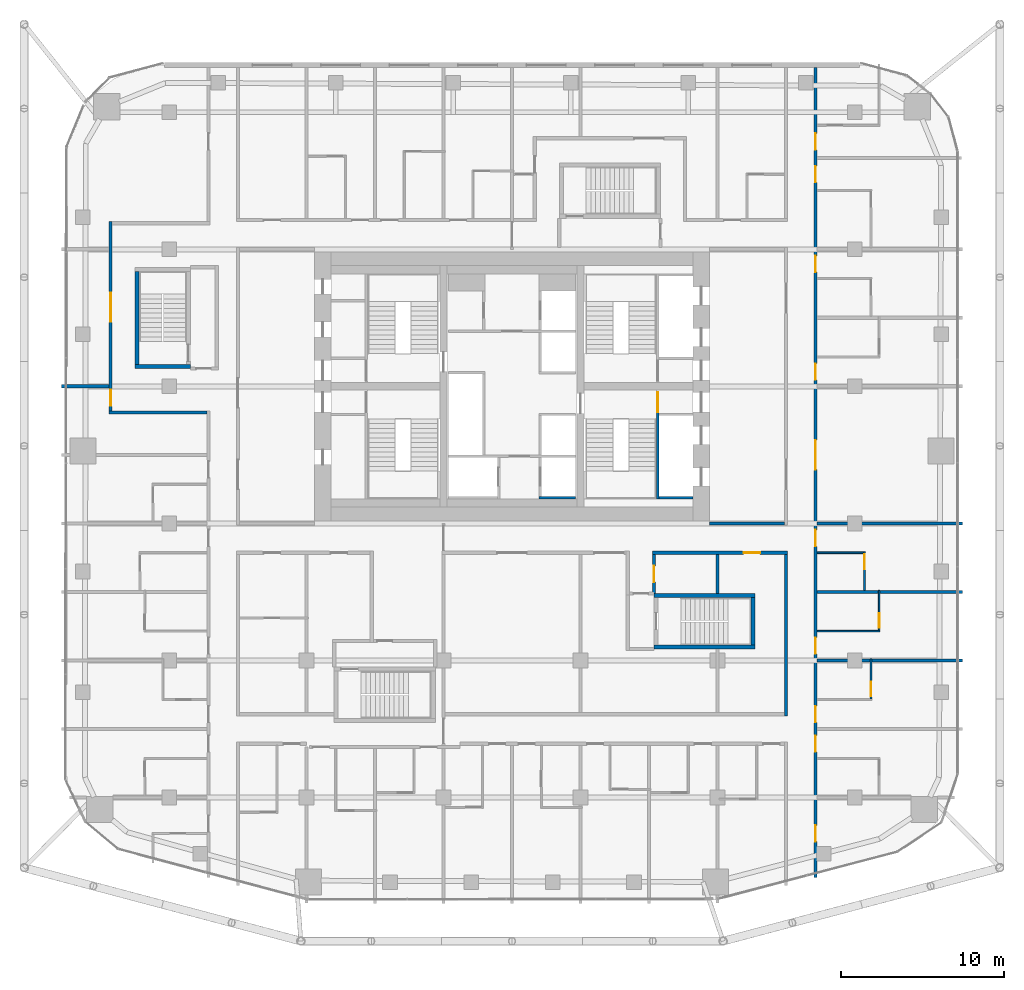
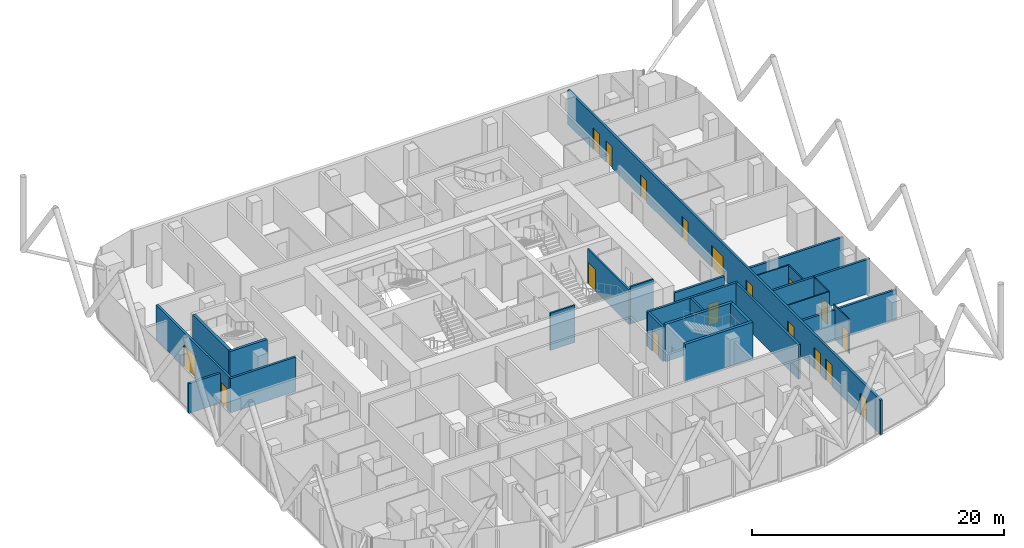
# One storey, part 27 of 33: 25 walls, 18 doors, 18 openings.
"""IFC4 building model written with IfcOpenShell, lengths in metres."""

from ifc_helpers import new_model, si_unit, direction, frame, frame_2d, origin, place, context, subcontext, project, spatial, rectangle, extrude, material, layer, layer_set, type_object, element, fill, save


model = new_model("IFC4")

# Units and contexts
model_context = context("Model", 3, precision=1e-05, world=origin(), true_north=direction((0.0, 1.0)))
body_context = subcontext(model_context, "Body", "Model", "MODEL_VIEW")
ifc_project = project(units=[si_unit("LENGTHUNIT", "METRE"), si_unit("AREAUNIT", "SQUARE_METRE"), si_unit("VOLUMEUNIT", "CUBIC_METRE"), si_unit("PLANEANGLEUNIT", "RADIAN"), si_unit("MASSUNIT", "GRAM", prefix="KILO")], contexts=[model_context])

# Site, building, storey
site_placement = place(None, origin())
site = spatial("IfcSite", under=ifc_project, at=site_placement, CompositionType="ELEMENT")
building_placement = place(site_placement, origin())
building = spatial("IfcBuilding", under=site, at=building_placement, Name="Marenta Gate Hotel Tower", CompositionType="ELEMENT")
storey_placement = place(building_placement, frame((0.0, 0.0, 108.5)))
storey = spatial("IfcBuildingStorey", under=building, at=storey_placement, Name="L23", CompositionType="ELEMENT", Elevation=108.5)

# Walls
ifc_material_1 = material(Name="Concrete blockwork", Category="masonry")
ifc_layer_1 = layer(ifc_material_1, 0.199951171875)
ifc_layer_set_1 = layer_set([ifc_layer_1], Name="Concrete blockwork")
wall_type_1 = type_object("IfcWallType", Name="Core boundary wall 200 REI 180", PredefinedType="PARTITIONING", material=ifc_layer_set_1)
wall_1_placement = place(storey_placement, frame((12.10009765625, 0.0, 0.0), z_axis=(0.0, 0.0, 1.0), x_axis=(1.0, 0.0, 0.0)))
element("IfcWall", 1, at=wall_1_placement, inside=storey, type_object=wall_type_1, Name="L23-CP-EW-ES", PredefinedType="PARTITIONING", context=body_context, shape_type="SweptSolid", body=[
    extrude(rectangle(XDim=4.599853515625, YDim=0.199951171875, at=frame_2d((2.2998046875, 0.0))), origin(), (0.0, 0.0, 1.0), 2.889892578125),
])
ifc_material_2 = material(Name="Concrete C40", Category="concrete")
ifc_layer_2 = layer(ifc_material_2, 0.14990234375)
ifc_layer_set_2 = layer_set([ifc_layer_2], Name="Concrete C40")
wall_type_2 = type_object("IfcWallType", Name="Core shaft wall 150 REI 180", PredefinedType="SHEAR", material=ifc_layer_set_2)
wall_2_placement = place(storey_placement, frame((9.0, 1.574951171875, 0.0), z_axis=(0.0, 0.0, 1.0), x_axis=(1.0, 0.0, 0.0)))
element("IfcWall", 2, at=wall_2_placement, inside=storey, type_object=wall_type_2, Name="L23-SHF-SW-ES-5", PredefinedType="SHEAR", context=body_context, shape_type="SweptSolid", body=[
    extrude(rectangle(XDim=2.10009765625, YDim=0.14990234375, at=frame_2d((1.050048828125, 0.0))), origin(), (0.0, 0.0, 1.0), 3.60009765625),
])
wall_3_placement = place(storey_placement, frame((1.64990234375, 1.574951171875, 0.0), z_axis=(0.0, 0.0, 1.0), x_axis=(1.0, 0.0, 0.0)))
element("IfcWall", 3, at=wall_3_placement, inside=storey, type_object=wall_type_2, Name="L23-SHF-CE-S-bot", PredefinedType="SHEAR", context=body_context, shape_type="SweptSolid", body=[
    extrude(rectangle(XDim=2.25, YDim=0.14990234375, at=frame_2d((1.125, 0.0))), origin(), (0.0, 0.0, 1.0), 3.60009765625),
])

# Wall, opening, door
ifc_material_3 = material(Name="Concrete C40", Category="concrete")
ifc_layer_3 = layer(ifc_material_3, 0.14990234375)
ifc_layer_set_3 = layer_set([ifc_layer_3], Name="Concrete C40")
wall_type_3 = type_object("IfcWallType", Name="Core stair enclosure wall 150 REI 180", PredefinedType="SHEAR", material=ifc_layer_set_3)
wall_4_placement = place(storey_placement, frame((8.925048828125, 1.5, 0.0), z_axis=(0.0, 0.0, 1.0), x_axis=(0.0, 1.0, 0.0)))
wall_4 = element("IfcWall", 4, at=wall_4_placement, inside=storey, type_object=wall_type_3, Name="L23-SHF-SW-ES-3", PredefinedType="SHEAR", context=body_context, shape_type="SweptSolid", body=[
    extrude(rectangle(XDim=6.60009765625, YDim=0.14990234375, at=frame_2d((3.300048828125, 0.0))), origin(), (0.0, 0.0, 1.0), 3.340087890625),
])
opening_1_placement = place(wall_4_placement, frame((5.324951171875, 0.0, 0.0)))
opening_1 = element("IfcOpeningElement", 5, at=opening_1_placement, cuts=wall_4, Name="Opening SD-ES", PredefinedType="OPENING", context=body_context, shape_type="SweptSolid", body=[
    extrude(rectangle(XDim=1.199951171875, YDim=2.10009765625, at=frame_2d((0.60009765625, 1.050048828125))), frame((0.0, 0.074951171875, 0.0), z_axis=(0.0, -1.0, 0.0), x_axis=(1.0, 0.0, 0.0)), (0.0, 0.0, 1.0), 0.14990234375),
])
ifc_material_4 = material(Name="Steel", Category="steel")
door_type_1 = type_object("IfcDoorType", Name="Core stair door 1200x2100 FD60", OperationType="SINGLE_SWING_LEFT", PredefinedType="DOOR", material=ifc_material_4)
door_1_placement = place(opening_1_placement, origin())
door_1 = element("IfcDoor", 6, at=door_1_placement, inside=storey, type_object=door_type_1, Name="SD-ES", OperationType="SINGLE_SWING_LEFT", OverallHeight=2.10009765625, OverallWidth=1.199951171875, PredefinedType="DOOR", context=body_context, shape_type="SweptSolid", body=[
    extrude(rectangle(XDim=1.199951171875, YDim=2.10009765625, at=frame_2d((0.60009765625, 1.050048828125))), frame((0.0, 0.02490234375, 0.0), z_axis=(0.0, -1.0, 0.0), x_axis=(1.0, 0.0, 0.0)), (0.0, 0.0, 1.0), 0.050048828125),
])
fill(opening_1, door_1)

# Walls
ifc_material_5 = material(Name="Concrete C40", Category="concrete")
ifc_layer_4 = layer(ifc_material_5, 0.25)
ifc_layer_set_4 = layer_set([ifc_layer_4], Name="Concrete C40")
wall_type_4 = type_object("IfcWallType", Name="Remote stair enclosure wall 250 REI 180", PredefinedType="SHEAR", material=ifc_layer_set_4)
wall_5_placement = place(storey_placement, frame((-23.10009765625, 9.625, 0.10009765625), z_axis=(0.0, 0.0, 1.0), x_axis=(1.0, 0.0, 0.0)))
element("IfcWall", 7, at=wall_5_placement, inside=storey, type_object=wall_type_4, Name="L23-RS-Z1-3-W1", PredefinedType="SHEAR", context=body_context, shape_type="SweptSolid", body=[
    extrude(rectangle(XDim=3.400146484375, YDim=0.25, at=frame_2d((1.7001953125, 0.0))), origin(), (0.0, 0.0, 1.0), 3.599853515625),
])
wall_6_placement = place(storey_placement, frame((-22.97509765625, 9.75, 0.10009765625), z_axis=(0.0, 0.0, 1.0), x_axis=(0.0, 1.0, 0.0)))
element("IfcWall", 8, at=wall_6_placement, inside=storey, type_object=wall_type_4, Name="L23-RS-Z1-3-W3", PredefinedType="SHEAR", context=body_context, shape_type="SweptSolid", body=[
    extrude(rectangle(XDim=5.699951171875, YDim=0.25, at=frame_2d((2.85009765625, 0.0))), origin(), (0.0, 0.0, 1.0), 3.599853515625),
])
for number, where, z_axis, x_axis, name in (
    (9, (8.699951171875, -7.574951171875, 0.10009765625), (0.0, 0.0, 1.0), (1.0, 0.0, 0.0), "L23-RS-Z2-2-W1"),
    (10, (8.699951171875, -4.425048828125, 0.10009765625), (0.0, 0.0, 1.0), (1.0, 0.0, 0.0), "L23-RS-Z2-2-W2"),
):
    element("IfcWall", number, at=place(storey_placement, frame(where, z_axis=z_axis, x_axis=x_axis)), inside=storey, type_object=wall_type_4, Name=name, PredefinedType="SHEAR", context=body_context, shape_type="SweptSolid", body=[
        extrude(rectangle(XDim=6.199951171875, YDim=0.25, at=frame_2d((3.10009765625, 0.0))), origin(), (0.0, 0.0, 1.0), 3.599853515625),
    ])
wall_7_placement = place(storey_placement, frame((14.77490234375, -7.449951171875, 0.10009765625), z_axis=(0.0, 0.0, 1.0), x_axis=(0.0, 1.0, 0.0)))
element("IfcWall", 11, at=wall_7_placement, inside=storey, type_object=wall_type_4, Name="L23-RS-Z2-2-W4", PredefinedType="SHEAR", context=body_context, shape_type="SweptSolid", body=[
    extrude(rectangle(XDim=2.89990234375, YDim=0.25, at=frame_2d((1.449951171875, 0.0))), origin(), (0.0, 0.0, 1.0), 3.599853515625),
])

# Wall, openings, doors
ifc_material_6 = material(Name="Gypsum board on steel stud", Category="steel")
ifc_layer_5 = layer(ifc_material_6, 0.199951171875)
ifc_layer_set_5 = layer_set([ifc_layer_5], Name="Gypsum board on steel stud")
wall_type_5 = type_object("IfcWallType", Name="Room corridor wall 200 EI 60", PredefinedType="PARTITIONING", material=ifc_layer_set_5)
wall_8_placement = place(storey_placement, frame((18.60009765625, -21.7080078125, 0.0), z_axis=(0.0, 0.0, 1.0), x_axis=(0.0, 1.0, 0.0)))
wall_8 = element("IfcWall", 12, at=wall_8_placement, inside=storey, type_object=wall_type_5, Name="L23-PTN-W010", PredefinedType="PARTITIONING", context=body_context, shape_type="SweptSolid", body=[
    extrude(rectangle(XDim=49.64794921875, YDim=0.199951171875, at=frame_2d((24.823974609375, 0.0))), origin(), (0.0, 0.0, 1.0), 3.340087890625),
])
opening_2_placement = place(wall_8_placement, frame((2.2041015625, 0.0, 0.0)))
opening_2 = element("IfcOpeningElement", 13, at=opening_2_placement, cuts=wall_8, Name="Opening G08-07", PredefinedType="OPENING", context=body_context, shape_type="SweptSolid", body=[
    extrude(rectangle(XDim=1.0, YDim=2.10009765625, at=frame_2d((0.5, 1.050048828125))), frame((0.0, 0.10009765625, 0.0), z_axis=(0.0, -1.0, 0.0), x_axis=(1.0, 0.0, 0.0)), (0.0, 0.0, 1.0), 0.199951171875),
])
opening_3_placement = place(wall_8_placement, frame((7.7080078125, 0.0, 0.0)))
opening_3 = element("IfcOpeningElement", 14, at=opening_3_placement, cuts=wall_8, Name="Opening G08-08", PredefinedType="OPENING", context=body_context, shape_type="SweptSolid", body=[
    extrude(rectangle(XDim=1.0, YDim=2.10009765625, at=frame_2d((0.5, 1.050048828125))), frame((0.0, 0.10009765625, 0.0), z_axis=(0.0, -1.0, 0.0), x_axis=(1.0, 0.0, 0.0)), (0.0, 0.0, 1.0), 0.199951171875),
])
opening_4_placement = place(wall_8_placement, frame((9.508056640625, 0.0, 0.0)))
opening_4 = element("IfcOpeningElement", 15, at=opening_4_placement, cuts=wall_8, Name="Opening G08-10", PredefinedType="OPENING", context=body_context, shape_type="SweptSolid", body=[
    extrude(rectangle(XDim=1.0, YDim=2.10009765625, at=frame_2d((0.5, 1.050048828125))), frame((0.0, 0.10009765625, 0.0), z_axis=(0.0, -1.0, 0.0), x_axis=(1.0, 0.0, 0.0)), (0.0, 0.0, 1.0), 0.199951171875),
])
opening_5_placement = place(wall_8_placement, frame((13.7080078125, 0.0, 0.0)))
opening_5 = element("IfcOpeningElement", 16, at=opening_5_placement, cuts=wall_8, Name="Opening G08-12", PredefinedType="OPENING", context=body_context, shape_type="SweptSolid", body=[
    extrude(rectangle(XDim=1.0, YDim=2.10009765625, at=frame_2d((0.5, 1.050048828125))), frame((0.0, 0.10009765625, 0.0), z_axis=(0.0, -1.0, 0.0), x_axis=(1.0, 0.0, 0.0)), (0.0, 0.0, 1.0), 0.199951171875),
])
opening_6_placement = place(wall_8_placement, frame((20.30810546875, 0.0, 0.0)))
opening_6 = element("IfcOpeningElement", 17, at=opening_6_placement, cuts=wall_8, Name="Opening G08-14", PredefinedType="OPENING", context=body_context, shape_type="SweptSolid", body=[
    extrude(rectangle(XDim=1.0, YDim=2.10009765625, at=frame_2d((0.5, 1.050048828125))), frame((0.0, 0.10009765625, 0.0), z_axis=(0.0, -1.0, 0.0), x_axis=(1.0, 0.0, 0.0)), (0.0, 0.0, 1.0), 0.199951171875),
])
opening_7_placement = place(wall_8_placement, frame((25.008056640625, 0.0, 0.0)))
opening_7 = element("IfcOpeningElement", 18, at=opening_7_placement, cuts=wall_8, Name="Opening G08-16", PredefinedType="OPENING", context=body_context, shape_type="SweptSolid", body=[
    extrude(rectangle(XDim=1.800048828125, YDim=2.10009765625, at=frame_2d((0.89990234375, 1.050048828125))), frame((0.0, 0.10009765625, 0.0), z_axis=(0.0, -1.0, 0.0), x_axis=(1.0, 0.0, 0.0)), (0.0, 0.0, 1.0), 0.199951171875),
])
opening_8_placement = place(wall_8_placement, frame((30.508056640625, 0.0, 0.0)))
opening_8 = element("IfcOpeningElement", 19, at=opening_8_placement, cuts=wall_8, Name="Opening G08-17", PredefinedType="OPENING", context=body_context, shape_type="SweptSolid", body=[
    extrude(rectangle(XDim=1.0, YDim=2.10009765625, at=frame_2d((0.5, 1.050048828125))), frame((0.0, 0.10009765625, 0.0), z_axis=(0.0, -1.0, 0.0), x_axis=(1.0, 0.0, 0.0)), (0.0, 0.0, 1.0), 0.199951171875),
])
opening_9_placement = place(wall_8_placement, frame((37.10791015625, 0.0, 0.0)))
opening_9 = element("IfcOpeningElement", 20, at=opening_9_placement, cuts=wall_8, Name="Opening G08-19", PredefinedType="OPENING", context=body_context, shape_type="SweptSolid", body=[
    extrude(rectangle(XDim=1.0, YDim=2.10009765625, at=frame_2d((0.5, 1.050048828125))), frame((0.0, 0.10009765625, 0.0), z_axis=(0.0, -1.0, 0.0), x_axis=(1.0, 0.0, 0.0)), (0.0, 0.0, 1.0), 0.199951171875),
])
opening_10_placement = place(wall_8_placement, frame((42.60791015625, 0.0, 0.0)))
opening_10 = element("IfcOpeningElement", 21, at=opening_10_placement, cuts=wall_8, Name="Opening G08-21", PredefinedType="OPENING", context=body_context, shape_type="SweptSolid", body=[
    extrude(rectangle(XDim=1.0, YDim=2.10009765625, at=frame_2d((0.5, 1.050048828125))), frame((0.0, 0.10009765625, 0.0), z_axis=(0.0, -1.0, 0.0), x_axis=(1.0, 0.0, 0.0)), (0.0, 0.0, 1.0), 0.199951171875),
])
opening_11_placement = place(wall_8_placement, frame((44.60791015625, 0.0, 0.0)))
opening_11 = element("IfcOpeningElement", 22, at=opening_11_placement, cuts=wall_8, Name="Opening G08-23", PredefinedType="OPENING", context=body_context, shape_type="SweptSolid", body=[
    extrude(rectangle(XDim=1.0, YDim=2.10009765625, at=frame_2d((0.5, 1.050048828125))), frame((0.0, 0.10009765625, 0.0), z_axis=(0.0, -1.0, 0.0), x_axis=(1.0, 0.0, 0.0)), (0.0, 0.0, 1.0), 0.199951171875),
])
ifc_material_7 = material(Name="Timber door leaf", Category="wood")
door_type_2 = type_object("IfcDoorType", Name="Guest room door 1000x2100 EI 30", OperationType="NOTDEFINED", PredefinedType="DOOR", material=ifc_material_7)
door_2_placement = place(opening_3_placement, origin())
door_2 = element("IfcDoor", 23, at=door_2_placement, inside=storey, type_object=door_type_2, Name="L23-PD-D008", OperationType="SINGLE_SWING_RIGHT", OverallHeight=2.10009765625, OverallWidth=1.0, PredefinedType="DOOR", context=body_context, shape_type="SweptSolid", body=[
    extrude(rectangle(XDim=1.0, YDim=2.10009765625, at=frame_2d((0.5, 1.050048828125))), frame((0.0, 0.02490234375, 0.0), z_axis=(0.0, -1.0, 0.0), x_axis=(1.0, 0.0, 0.0)), (0.0, 0.0, 1.0), 0.050048828125),
])
fill(opening_3, door_2)
door_3_placement = place(opening_4_placement, origin())
door_3 = element("IfcDoor", 24, at=door_3_placement, inside=storey, type_object=door_type_2, Name="L23-PD-D010", OperationType="SINGLE_SWING_RIGHT", OverallHeight=2.10009765625, OverallWidth=1.0, PredefinedType="DOOR", context=body_context, shape_type="SweptSolid", body=[
    extrude(rectangle(XDim=1.0, YDim=2.10009765625, at=frame_2d((0.5, 1.050048828125))), frame((0.0, 0.02490234375, 0.0), z_axis=(0.0, -1.0, 0.0), x_axis=(1.0, 0.0, 0.0)), (0.0, 0.0, 1.0), 0.050048828125),
])
fill(opening_4, door_3)
door_4_placement = place(opening_5_placement, origin())
door_4 = element("IfcDoor", 25, at=door_4_placement, inside=storey, type_object=door_type_2, Name="L23-PD-D012", OperationType="SINGLE_SWING_RIGHT", OverallHeight=2.10009765625, OverallWidth=1.0, PredefinedType="DOOR", context=body_context, shape_type="SweptSolid", body=[
    extrude(rectangle(XDim=1.0, YDim=2.10009765625, at=frame_2d((0.5, 1.050048828125))), frame((0.0, 0.02490234375, 0.0), z_axis=(0.0, -1.0, 0.0), x_axis=(1.0, 0.0, 0.0)), (0.0, 0.0, 1.0), 0.050048828125),
])
fill(opening_5, door_4)
door_5_placement = place(opening_6_placement, origin())
door_5 = element("IfcDoor", 26, at=door_5_placement, inside=storey, type_object=door_type_2, Name="L23-PD-D014", OperationType="SINGLE_SWING_RIGHT", OverallHeight=2.10009765625, OverallWidth=1.0, PredefinedType="DOOR", context=body_context, shape_type="SweptSolid", body=[
    extrude(rectangle(XDim=1.0, YDim=2.10009765625, at=frame_2d((0.5, 1.050048828125))), frame((0.0, 0.02490234375, 0.0), z_axis=(0.0, -1.0, 0.0), x_axis=(1.0, 0.0, 0.0)), (0.0, 0.0, 1.0), 0.050048828125),
])
fill(opening_6, door_5)
door_6_placement = place(opening_8_placement, origin())
door_6 = element("IfcDoor", 27, at=door_6_placement, inside=storey, type_object=door_type_2, Name="L23-PD-D017", OperationType="SINGLE_SWING_LEFT", OverallHeight=2.10009765625, OverallWidth=1.0, PredefinedType="DOOR", context=body_context, shape_type="SweptSolid", body=[
    extrude(rectangle(XDim=1.0, YDim=2.10009765625, at=frame_2d((0.5, 1.050048828125))), frame((0.0, 0.02490234375, 0.0), z_axis=(0.0, -1.0, 0.0), x_axis=(1.0, 0.0, 0.0)), (0.0, 0.0, 1.0), 0.050048828125),
])
fill(opening_8, door_6)
door_7_placement = place(opening_9_placement, origin())
door_7 = element("IfcDoor", 28, at=door_7_placement, inside=storey, type_object=door_type_2, Name="L23-PD-D019", OperationType="SINGLE_SWING_LEFT", OverallHeight=2.10009765625, OverallWidth=1.0, PredefinedType="DOOR", context=body_context, shape_type="SweptSolid", body=[
    extrude(rectangle(XDim=1.0, YDim=2.10009765625, at=frame_2d((0.5, 1.050048828125))), frame((0.0, 0.02490234375, 0.0), z_axis=(0.0, -1.0, 0.0), x_axis=(1.0, 0.0, 0.0)), (0.0, 0.0, 1.0), 0.050048828125),
])
fill(opening_9, door_7)
door_8_placement = place(opening_10_placement, origin())
door_8 = element("IfcDoor", 29, at=door_8_placement, inside=storey, type_object=door_type_2, Name="L23-PD-D021", OperationType="SINGLE_SWING_LEFT", OverallHeight=2.10009765625, OverallWidth=1.0, PredefinedType="DOOR", context=body_context, shape_type="SweptSolid", body=[
    extrude(rectangle(XDim=1.0, YDim=2.10009765625, at=frame_2d((0.5, 1.050048828125))), frame((0.0, 0.02490234375, 0.0), z_axis=(0.0, -1.0, 0.0), x_axis=(1.0, 0.0, 0.0)), (0.0, 0.0, 1.0), 0.050048828125),
])
fill(opening_10, door_8)
door_9_placement = place(opening_11_placement, origin())
door_9 = element("IfcDoor", 30, at=door_9_placement, inside=storey, type_object=door_type_2, Name="L23-PD-D023", OperationType="SINGLE_SWING_LEFT", OverallHeight=2.10009765625, OverallWidth=1.0, PredefinedType="DOOR", context=body_context, shape_type="SweptSolid", body=[
    extrude(rectangle(XDim=1.0, YDim=2.10009765625, at=frame_2d((0.5, 1.050048828125))), frame((0.0, 0.02490234375, 0.0), z_axis=(0.0, -1.0, 0.0), x_axis=(1.0, 0.0, 0.0)), (0.0, 0.0, 1.0), 0.050048828125),
])
fill(opening_11, door_9)
ifc_material_8 = material(Name="Timber door leaf", Category="wood")
door_type_3 = type_object("IfcDoorType", Name="Room amenity door 1000x2100 EI 30", OperationType="NOTDEFINED", PredefinedType="DOOR", material=ifc_material_8)
door_10_placement = place(opening_2_placement, origin())
door_10 = element("IfcDoor", 31, at=door_10_placement, inside=storey, type_object=door_type_3, Name="L23-PD-D007", OperationType="SINGLE_SWING_LEFT", OverallHeight=2.10009765625, OverallWidth=1.0, PredefinedType="DOOR", context=body_context, shape_type="SweptSolid", body=[
    extrude(rectangle(XDim=1.0, YDim=2.10009765625, at=frame_2d((0.5, 1.050048828125))), frame((0.0, 0.02490234375, 0.0), z_axis=(0.0, -1.0, 0.0), x_axis=(1.0, 0.0, 0.0)), (0.0, 0.0, 1.0), 0.050048828125),
])
fill(opening_2, door_10)
ifc_material_9 = material(Name="Timber door leaf", Category="wood")
door_type_4 = type_object("IfcDoorType", Name="Room amenity door 1800x2100 EI 30", OperationType="DOUBLE_DOOR_SINGLE_SWING", PredefinedType="DOOR", material=ifc_material_9)
door_11_placement = place(opening_7_placement, origin())
door_11 = element("IfcDoor", 32, at=door_11_placement, inside=storey, type_object=door_type_4, Name="L23-PD-D016", OperationType="DOUBLE_DOOR_SINGLE_SWING", OverallHeight=2.10009765625, OverallWidth=1.800048828125, PredefinedType="DOOR", context=body_context, shape_type="SweptSolid", body=[
    extrude(rectangle(XDim=1.800048828125, YDim=2.10009765625, at=frame_2d((0.89990234375, 1.050048828125))), frame((0.0, 0.02490234375, 0.0), z_axis=(0.0, -1.0, 0.0), x_axis=(1.0, 0.0, 0.0)), (0.0, 0.0, 1.0), 0.050048828125),
])
fill(opening_7, door_11)

# Wall
wall_9_placement = place(storey_placement, frame((16.800048828125, -11.800048828125, 0.0), z_axis=(0.0, 0.0, 1.0), x_axis=(0.0, 1.0, 0.0)))
element("IfcWall", 33, at=wall_9_placement, inside=storey, type_object=wall_type_5, Name="L23-PTN-W017", PredefinedType="PARTITIONING", context=body_context, shape_type="SweptSolid", body=[
    extrude(rectangle(XDim=9.900146484375, YDim=0.199951171875, at=frame_2d((4.9501953125, 0.0))), origin(), (0.0, 0.0, 1.0), 3.340087890625),
])

# Wall, opening, door
wall_10_placement = place(storey_placement, frame((8.699951171875, -4.300048828125, 0.0), z_axis=(0.0, 0.0, 1.0), x_axis=(0.0, 1.0, 0.0)))
wall_10 = element("IfcWall", 34, at=wall_10_placement, inside=storey, type_object=wall_type_5, Name="L23-PTN-W044", PredefinedType="PARTITIONING", context=body_context, shape_type="SweptSolid", body=[
    extrude(rectangle(XDim=2.400146484375, YDim=0.199951171875, at=frame_2d((1.2001953125, 0.0))), origin(), (0.0, 0.0, 1.0), 3.340087890625),
])
opening_12_placement = place(wall_10_placement, frame((0.699951171875, 0.0, 0.0)))
opening_12 = element("IfcOpeningElement", 35, at=opening_12_placement, cuts=wall_10, Name="Opening G08-72", PredefinedType="OPENING", context=body_context, shape_type="SweptSolid", body=[
    extrude(rectangle(XDim=1.0, YDim=2.10009765625, at=frame_2d((0.5, 1.050048828125))), frame((0.0, 0.10009765625, 0.0), z_axis=(0.0, -1.0, 0.0), x_axis=(1.0, 0.0, 0.0)), (0.0, 0.0, 1.0), 0.199951171875),
])
door_12_placement = place(opening_12_placement, origin())
door_12 = element("IfcDoor", 36, at=door_12_placement, inside=storey, type_object=door_type_3, Name="L23-PD-D072", OperationType="SINGLE_SWING_LEFT", OverallHeight=2.10009765625, OverallWidth=1.0, PredefinedType="DOOR", context=body_context, shape_type="SweptSolid", body=[
    extrude(rectangle(XDim=1.0, YDim=2.10009765625, at=frame_2d((0.5, 1.050048828125))), frame((0.0, 0.02490234375, 0.0), z_axis=(0.0, -1.0, 0.0), x_axis=(1.0, 0.0, 0.0)), (0.0, 0.0, 1.0), 0.050048828125),
])
fill(opening_12, door_12)

wall_11_placement = place(storey_placement, frame((8.60009765625, -1.800048828125, 0.0), z_axis=(0.0, 0.0, 1.0), x_axis=(1.0, 0.0, 0.0)))
wall_11 = element("IfcWall", 37, at=wall_11_placement, inside=storey, type_object=wall_type_5, Name="L23-PTN-W069", PredefinedType="PARTITIONING", context=body_context, shape_type="SweptSolid", body=[
    extrude(rectangle(XDim=8.2998046875, YDim=0.199951171875, at=frame_2d((4.14990234375, 0.0))), origin(), (0.0, 0.0, 1.0), 3.340087890625),
])
opening_13_placement = place(wall_11_placement, frame((5.60009765625, 0.0, 0.0)))
opening_13 = element("IfcOpeningElement", 38, at=opening_13_placement, cuts=wall_11, Name="Opening G08-06", PredefinedType="OPENING", context=body_context, shape_type="SweptSolid", body=[
    extrude(rectangle(XDim=1.0, YDim=2.10009765625, at=frame_2d((0.5, 1.050048828125))), frame((0.0, 0.10009765625, 0.0), z_axis=(0.0, -1.0, 0.0), x_axis=(1.0, 0.0, 0.0)), (0.0, 0.0, 1.0), 0.199951171875),
])
door_13_placement = place(opening_13_placement, origin())
door_13 = element("IfcDoor", 39, at=door_13_placement, inside=storey, type_object=door_type_3, Name="L23-PD-D006", OperationType="SINGLE_SWING_RIGHT", OverallHeight=2.10009765625, OverallWidth=1.0, PredefinedType="DOOR", context=body_context, shape_type="SweptSolid", body=[
    extrude(rectangle(XDim=1.0, YDim=2.10009765625, at=frame_2d((0.5, 1.050048828125))), frame((0.0, 0.02490234375, 0.0), z_axis=(0.0, -1.0, 0.0), x_axis=(1.0, 0.0, 0.0)), (0.0, 0.0, 1.0), 0.050048828125),
])
fill(opening_13, door_13)

# Wall
wall_12_placement = place(storey_placement, frame((-24.699951171875, 6.800048828125, 0.0), z_axis=(0.0, 0.0, 1.0), x_axis=(1.0, 0.0, 0.0)))
element("IfcWall", 40, at=wall_12_placement, inside=storey, type_object=wall_type_5, Name="L23-PTN-W085", PredefinedType="PARTITIONING", context=body_context, shape_type="SweptSolid", body=[
    extrude(rectangle(XDim=6.0, YDim=0.199951171875, at=frame_2d((3.0, 0.0))), origin(), (0.0, 0.0, 1.0), 3.340087890625),
])

# Wall, openings, doors
wall_13_placement = place(storey_placement, frame((-24.60009765625, 6.89990234375, 0.0), z_axis=(0.0, 0.0, 1.0), x_axis=(0.0, 1.0, 0.0)))
wall_13 = element("IfcWall", 41, at=wall_13_placement, inside=storey, type_object=wall_type_5, Name="L23-PTN-W129", PredefinedType="PARTITIONING", context=body_context, shape_type="SweptSolid", body=[
    extrude(rectangle(XDim=11.60009765625, YDim=0.199951171875, at=frame_2d((5.800048828125, 0.0))), origin(), (0.0, 0.0, 1.0), 3.340087890625),
])
opening_14_placement = place(wall_13_placement, frame((5.449951171875, 0.0, 0.0)))
opening_14 = element("IfcOpeningElement", 42, at=opening_14_placement, cuts=wall_13, Name="Opening G08-65", PredefinedType="OPENING", context=body_context, shape_type="SweptSolid", body=[
    extrude(rectangle(XDim=1.800048828125, YDim=2.10009765625, at=frame_2d((0.89990234375, 1.050048828125))), frame((0.0, 0.10009765625, 0.0), z_axis=(0.0, -1.0, 0.0), x_axis=(1.0, 0.0, 0.0)), (0.0, 0.0, 1.0), 0.199951171875),
])
opening_15_placement = place(wall_13_placement, frame((0.300048828125, 0.0, 0.0)))
opening_15 = element("IfcOpeningElement", 43, at=opening_15_placement, cuts=wall_13, Name="Opening G08-71", PredefinedType="OPENING", context=body_context, shape_type="SweptSolid", body=[
    extrude(rectangle(XDim=1.0, YDim=2.10009765625, at=frame_2d((0.5, 1.050048828125))), frame((0.0, 0.10009765625, 0.0), z_axis=(0.0, -1.0, 0.0), x_axis=(1.0, 0.0, 0.0)), (0.0, 0.0, 1.0), 0.199951171875),
])
door_14_placement = place(opening_15_placement, origin())
door_14 = element("IfcDoor", 44, at=door_14_placement, inside=storey, type_object=door_type_3, Name="L23-PD-D071", OperationType="SINGLE_SWING_LEFT", OverallHeight=2.10009765625, OverallWidth=1.0, PredefinedType="DOOR", context=body_context, shape_type="SweptSolid", body=[
    extrude(rectangle(XDim=1.0, YDim=2.10009765625, at=frame_2d((0.5, 1.050048828125))), frame((0.0, 0.02490234375, 0.0), z_axis=(0.0, -1.0, 0.0), x_axis=(1.0, 0.0, 0.0)), (0.0, 0.0, 1.0), 0.050048828125),
])
fill(opening_15, door_14)
door_15_placement = place(opening_14_placement, origin())
door_15 = element("IfcDoor", 45, at=door_15_placement, inside=storey, type_object=door_type_4, Name="L23-PD-D065", OperationType="DOUBLE_DOOR_SINGLE_SWING", OverallHeight=2.10009765625, OverallWidth=1.800048828125, PredefinedType="DOOR", context=body_context, shape_type="SweptSolid", body=[
    extrude(rectangle(XDim=1.800048828125, YDim=2.10009765625, at=frame_2d((0.89990234375, 1.050048828125))), frame((0.0, 0.02490234375, 0.0), z_axis=(0.0, -1.0, 0.0), x_axis=(1.0, 0.0, 0.0)), (0.0, 0.0, 1.0), 0.050048828125),
])
fill(opening_14, door_15)

# Wall, opening, door
ifc_material_10 = material(Name="Gypsum board on steel stud", Category="steel")
ifc_layer_6 = layer(ifc_material_10, 0.10009765625)
ifc_layer_set_6 = layer_set([ifc_layer_6], Name="Gypsum board on steel stud")
wall_type_6 = type_object("IfcWallType", Name="Room partition 100", PredefinedType="PARTITIONING", material=ifc_layer_set_6)
wall_14_placement = place(storey_placement, frame((22.5, -6.550048828125, 0.0), z_axis=(0.0, 0.0, 1.0), x_axis=(0.0, 1.0, 0.0)))
wall_14 = element("IfcWall", 46, at=wall_14_placement, inside=storey, type_object=wall_type_6, Name="L23-PTN-W002", PredefinedType="PARTITIONING", context=body_context, shape_type="SweptSolid", body=[
    extrude(rectangle(XDim=2.449951171875, YDim=0.10009765625, at=frame_2d((1.22509765625, 0.0))), origin(), (0.0, 0.0, 1.0), 3.340087890625),
])
opening_16_placement = place(wall_14_placement, frame((0.14990234375, 0.0, 0.0)))
opening_16 = element("IfcOpeningElement", 47, at=opening_16_placement, cuts=wall_14, Name="Opening G08-13", PredefinedType="OPENING", context=body_context, shape_type="SweptSolid", body=[
    extrude(rectangle(XDim=0.89990234375, YDim=2.10009765625, at=frame_2d((0.449951171875, 1.050048828125))), frame((0.0, 0.050048828125, 0.0), z_axis=(0.0, -1.0, 0.0), x_axis=(1.0, 0.0, 0.0)), (0.0, 0.0, 1.0), 0.10009765625),
])
ifc_material_11 = material(Name="Timber door leaf", Category="wood")
door_type_5 = type_object("IfcDoorType", Name="Guest bathroom door 900x2100", OperationType="NOTDEFINED", PredefinedType="DOOR", material=ifc_material_11)
door_16_placement = place(opening_16_placement, origin())
door_16 = element("IfcDoor", 48, at=door_16_placement, inside=storey, type_object=door_type_5, Name="L23-PD-D013", OperationType="SINGLE_SWING_LEFT", OverallHeight=2.10009765625, OverallWidth=0.89990234375, PredefinedType="DOOR", context=body_context, shape_type="SweptSolid", body=[
    extrude(rectangle(XDim=0.89990234375, YDim=2.10009765625, at=frame_2d((0.449951171875, 1.050048828125))), frame((0.0, 0.02490234375, 0.0), z_axis=(0.0, -1.0, 0.0), x_axis=(1.0, 0.0, 0.0)), (0.0, 0.0, 1.0), 0.050048828125),
])
fill(opening_16, door_16)

wall_15_placement = place(storey_placement, frame((22.0, -10.75, 0.0), z_axis=(0.0, 0.0, 1.0), x_axis=(0.0, 1.0, 0.0)))
wall_15 = element("IfcWall", 49, at=wall_15_placement, inside=storey, type_object=wall_type_6, Name="L23-PTN-W005", PredefinedType="PARTITIONING", context=body_context, shape_type="SweptSolid", body=[
    extrude(rectangle(XDim=2.449951171875, YDim=0.10009765625, at=frame_2d((1.22509765625, 0.0))), origin(), (0.0, 0.0, 1.0), 3.340087890625),
])
opening_17_placement = place(wall_15_placement, frame((0.14990234375, 0.0, 0.0)))
opening_17 = element("IfcOpeningElement", 50, at=opening_17_placement, cuts=wall_15, Name="Opening G08-11", PredefinedType="OPENING", context=body_context, shape_type="SweptSolid", body=[
    extrude(rectangle(XDim=0.89990234375, YDim=2.10009765625, at=frame_2d((0.449951171875, 1.050048828125))), frame((0.0, 0.050048828125, 0.0), z_axis=(0.0, -1.0, 0.0), x_axis=(1.0, 0.0, 0.0)), (0.0, 0.0, 1.0), 0.10009765625),
])
door_17_placement = place(opening_17_placement, origin())
door_17 = element("IfcDoor", 51, at=door_17_placement, inside=storey, type_object=door_type_5, Name="L23-PD-D011", OperationType="SINGLE_SWING_LEFT", OverallHeight=2.10009765625, OverallWidth=0.89990234375, PredefinedType="DOOR", context=body_context, shape_type="SweptSolid", body=[
    extrude(rectangle(XDim=0.89990234375, YDim=2.10009765625, at=frame_2d((0.449951171875, 1.050048828125))), frame((0.0, 0.02490234375, 0.0), z_axis=(0.0, -1.0, 0.0), x_axis=(1.0, 0.0, 0.0)), (0.0, 0.0, 1.0), 0.050048828125),
])
fill(opening_17, door_17)

wall_16_placement = place(storey_placement, frame((21.60009765625, -4.10009765625, 0.0), z_axis=(0.0, 0.0, 1.0), x_axis=(0.0, 1.0, 0.0)))
wall_16 = element("IfcWall", 52, at=wall_16_placement, inside=storey, type_object=wall_type_6, Name="L23-PTN-W008", PredefinedType="PARTITIONING", context=body_context, shape_type="SweptSolid", body=[
    extrude(rectangle(XDim=2.35009765625, YDim=0.10009765625, at=frame_2d((1.175048828125, 0.0))), origin(), (0.0, 0.0, 1.0), 3.340087890625),
])
opening_18_placement = place(wall_16_placement, frame((1.300048828125, 0.0, 0.0)))
opening_18 = element("IfcOpeningElement", 53, at=opening_18_placement, cuts=wall_16, Name="Opening G08-15", PredefinedType="OPENING", context=body_context, shape_type="SweptSolid", body=[
    extrude(rectangle(XDim=0.89990234375, YDim=2.10009765625, at=frame_2d((0.449951171875, 1.050048828125))), frame((0.0, 0.050048828125, 0.0), z_axis=(0.0, -1.0, 0.0), x_axis=(1.0, 0.0, 0.0)), (0.0, 0.0, 1.0), 0.10009765625),
])
door_18_placement = place(opening_18_placement, origin())
door_18 = element("IfcDoor", 54, at=door_18_placement, inside=storey, type_object=door_type_5, Name="L23-PD-D015", OperationType="SINGLE_SWING_RIGHT", OverallHeight=2.10009765625, OverallWidth=0.89990234375, PredefinedType="DOOR", context=body_context, shape_type="SweptSolid", body=[
    extrude(rectangle(XDim=0.89990234375, YDim=2.10009765625, at=frame_2d((0.449951171875, 1.050048828125))), frame((0.0, 0.02490234375, 0.0), z_axis=(0.0, -1.0, 0.0), x_axis=(1.0, 0.0, 0.0)), (0.0, 0.0, 1.0), 0.050048828125),
])
fill(opening_18, door_18)

# Walls
wall_17_placement = place(storey_placement, frame((18.699951171875, -6.60009765625, 0.0), z_axis=(0.0, 0.0, 1.0), x_axis=(1.0, 0.0, 0.0)))
element("IfcWall", 55, at=wall_17_placement, inside=storey, type_object=wall_type_6, Name="L23-PTN-W054", PredefinedType="PARTITIONING", context=body_context, shape_type="SweptSolid", body=[
    extrude(rectangle(XDim=3.85009765625, YDim=0.10009765625, at=frame_2d((1.925048828125, 0.0))), origin(), (0.0, 0.0, 1.0), 3.340087890625),
])
wall_18_placement = place(storey_placement, frame((18.699951171875, -1.800048828125, 0.0), z_axis=(0.0, 0.0, 1.0), x_axis=(1.0, 0.0, 0.0)))
element("IfcWall", 56, at=wall_18_placement, inside=storey, type_object=wall_type_6, Name="L23-PTN-W066", PredefinedType="PARTITIONING", context=body_context, shape_type="SweptSolid", body=[
    extrude(rectangle(XDim=2.85009765625, YDim=0.10009765625, at=frame_2d((1.425048828125, 0.0))), origin(), (0.0, 0.0, 1.0), 3.340087890625),
])
ifc_material_12 = material(Name="Gypsum board on steel stud", Category="steel")
ifc_layer_7 = layer(ifc_material_12, 0.199951171875)
ifc_layer_set_7 = layer_set([ifc_layer_7], Name="Gypsum board on steel stud")
wall_type_7 = type_object("IfcWallType", Name="Room party wall 200 EI 60", PredefinedType="PARTITIONING", material=ifc_layer_set_7)
wall_19_placement = place(storey_placement, frame((12.60009765625, -4.300048828125, 0.0), z_axis=(0.0, 0.0, 1.0), x_axis=(0.0, 1.0, 0.0)))
element("IfcWall", 57, at=wall_19_placement, inside=storey, type_object=wall_type_7, Name="L23-PTN-W033", PredefinedType="PARTITIONING", context=body_context, shape_type="SweptSolid", body=[
    extrude(rectangle(XDim=2.400146484375, YDim=0.199951171875, at=frame_2d((1.2001953125, 0.0))), origin(), (0.0, 0.0, 1.0), 3.340087890625),
])
wall_20_placement = place(storey_placement, frame((18.699951171875, -8.39990234375, 0.0), z_axis=(0.0, 0.0, 1.0), x_axis=(1.0, 0.0, 0.0)))
element("IfcWall", 58, at=wall_20_placement, inside=storey, type_object=wall_type_7, Name="L23-PTN-W047", PredefinedType="PARTITIONING", context=body_context, shape_type="SweptSolid", body=[
    extrude(rectangle(XDim=8.900146484375, YDim=0.199951171875, at=frame_2d((4.4501953125, 0.0))), origin(), (0.0, 0.0, 1.0), 2.889892578125),
])
wall_21_placement = place(storey_placement, frame((18.699951171875, -4.199951171875, 0.0), z_axis=(0.0, 0.0, 1.0), x_axis=(1.0, 0.0, 0.0)))
element("IfcWall", 59, at=wall_21_placement, inside=storey, type_object=wall_type_7, Name="L23-PTN-W062", PredefinedType="PARTITIONING", context=body_context, shape_type="SweptSolid", body=[
    extrude(rectangle(XDim=8.900146484375, YDim=0.199951171875, at=frame_2d((4.4501953125, 0.0))), origin(), (0.0, 0.0, 1.0), 3.340087890625),
])
wall_22_placement = place(storey_placement, frame((18.699951171875, 0.0, 0.0), z_axis=(0.0, 0.0, 1.0), x_axis=(1.0, 0.0, 0.0)))
element("IfcWall", 60, at=wall_22_placement, inside=storey, type_object=wall_type_7, Name="L23-PTN-W074", PredefinedType="PARTITIONING", context=body_context, shape_type="SweptSolid", body=[
    extrude(rectangle(XDim=8.900146484375, YDim=0.199951171875, at=frame_2d((4.4501953125, 0.0))), origin(), (0.0, 0.0, 1.0), 2.889892578125),
])
wall_23_placement = place(storey_placement, frame((-27.60009765625, 8.39990234375, 0.0), z_axis=(0.0, 0.0, 1.0), x_axis=(1.0, 0.0, 0.0)))
element("IfcWall", 61, at=wall_23_placement, inside=storey, type_object=wall_type_7, Name="L23-PTN-W088", PredefinedType="PARTITIONING", context=body_context, shape_type="SweptSolid", body=[
    extrude(rectangle(XDim=2.900146484375, YDim=0.199951171875, at=frame_2d((1.4501953125, 0.0))), origin(), (0.0, 0.0, 1.0), 2.889892578125),
])

save(model, "model.ifc")
